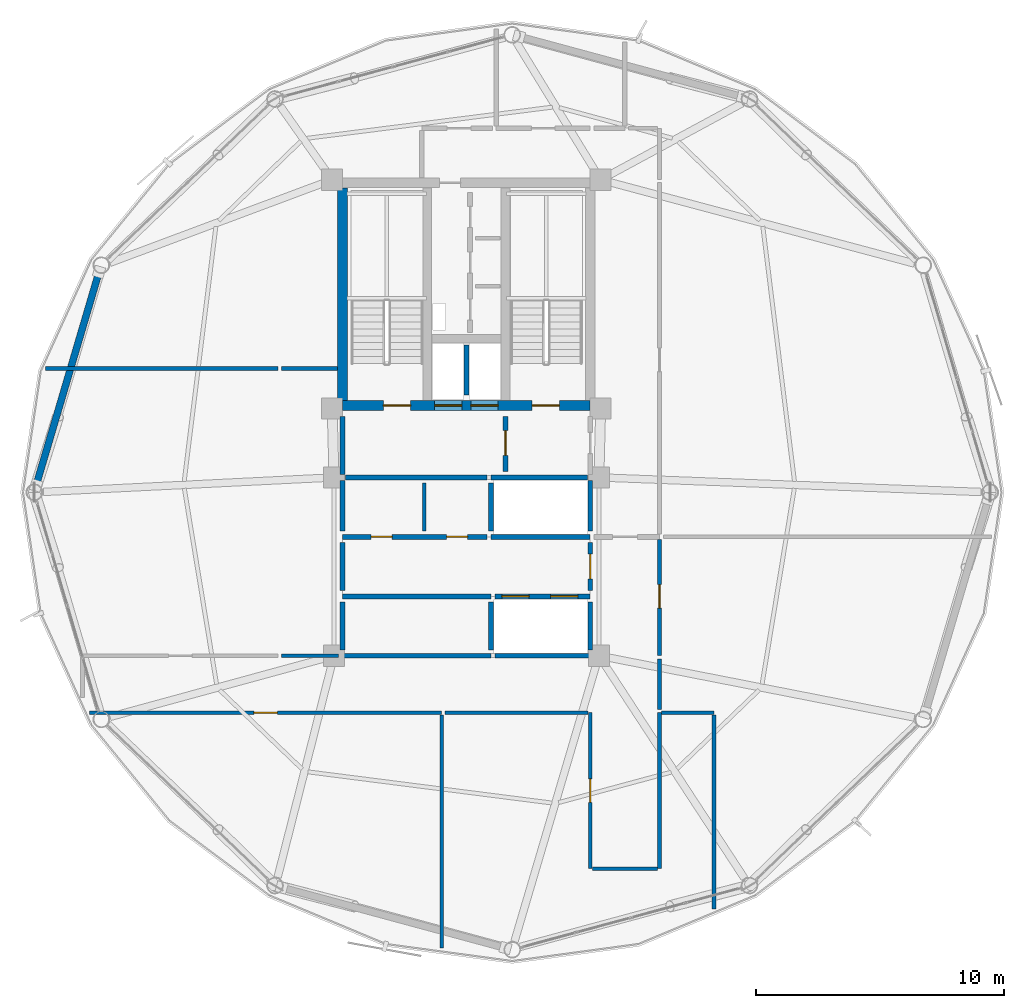
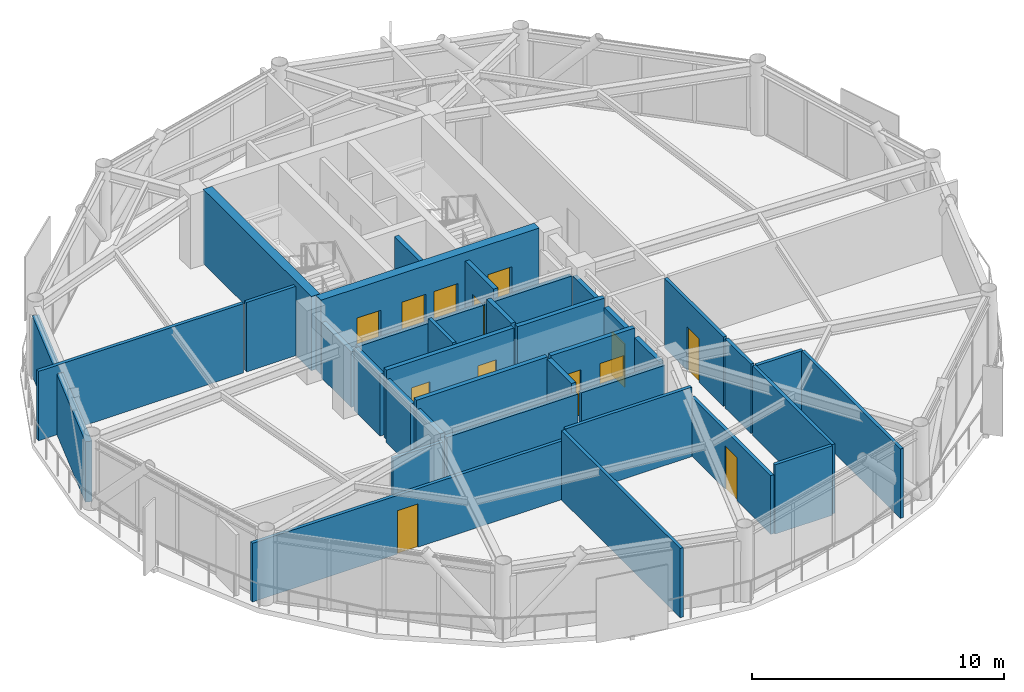
# One storey, part 23 of 28: 36 walls, 13 doors, 13 openings.
"""IFC4 building model written with IfcOpenShell, lengths in metres."""

from ifc_helpers import new_model, si_unit, direction, frame, frame_2d, origin, place, context, subcontext, project, spatial, rectangle, extrude, material, layer, layer_set, type_object, element, fill, save


model = new_model("IFC4")

# Units and contexts
model_context = context("Model", 3, precision=1e-05, world=origin(), true_north=direction((0.0, 1.0)))
body_context = subcontext(model_context, "Body", "Model", "MODEL_VIEW")
ifc_project = project(units=[si_unit("LENGTHUNIT", "METRE"), si_unit("AREAUNIT", "SQUARE_METRE"), si_unit("VOLUMEUNIT", "CUBIC_METRE"), si_unit("PLANEANGLEUNIT", "RADIAN"), si_unit("MASSUNIT", "GRAM", prefix="KILO")], contexts=[model_context])

# Site, building, storey
site_placement = place(None, origin())
site = spatial("IfcSite", under=ifc_project, at=site_placement, CompositionType="ELEMENT")
building_placement = place(site_placement, origin())
building = spatial("IfcBuilding", under=site, at=building_placement, Name="Varnakorn Sky Granary", CompositionType="ELEMENT")
storey_placement = place(building_placement, frame((0.0, 0.0, 204.0)))
storey = spatial("IfcBuildingStorey", under=building, at=storey_placement, Name="L51", CompositionType="ELEMENT", Elevation=204.0)

# Wall, openings, doors
ifc_material_1 = material(Name="Concrete C50/60", Category="concrete")
ifc_layer_1 = layer(ifc_material_1, 0.39990234375, Name="Concrete C50/60")
ifc_layer_set_1 = layer_set([ifc_layer_1], Name="Concrete C50/60")
wall_type_1 = type_object("IfcWallType", Name="WT-CW-SHEAR-400", PredefinedType="SHEAR", material=ifc_layer_set_1)
wall_1_placement = place(storey_placement, frame((-2.0, 3.5, 0.0), z_axis=(0.0, 0.0, 1.0), x_axis=(1.0, 0.0, 0.0)))
wall_1 = element("IfcWall", 1, at=wall_1_placement, inside=storey, type_object=wall_type_1, Name="Core South Shear Wall L51", PredefinedType="SHEAR", context=body_context, shape_type="SweptSolid", body=[
    extrude(rectangle(XDim=10.0, YDim=0.39990234375, at=frame_2d((5.0, 0.0))), origin(), (0.0, 0.0, 1.0), 3.592041015625),
])
opening_1_placement = place(wall_1_placement, frame((1.64990234375, 0.0, 0.0)))
opening_1 = element("IfcOpeningElement", 2, at=opening_1_placement, cuts=wall_1, Name="Opening FD-90", PredefinedType="OPENING", context=body_context, shape_type="SweptSolid", body=[
    extrude(rectangle(XDim=1.10009765625, YDim=2.14990234375, at=frame_2d((0.550048828125, 1.074951171875))), frame((0.0, 0.2099609375, 0.0), z_axis=(0.0, -1.0, 0.0), x_axis=(1.0, 0.0, 0.0)), (0.0, 0.0, 1.0), 0.419921875),
])
opening_2_placement = place(wall_1_placement, frame((7.64990234375, 0.0, 0.0)))
opening_2 = element("IfcOpeningElement", 3, at=opening_2_placement, cuts=wall_1, Name="Opening FD-90", PredefinedType="OPENING", context=body_context, shape_type="SweptSolid", body=[
    extrude(rectangle(XDim=1.10009765625, YDim=2.14990234375, at=frame_2d((0.550048828125, 1.074951171875))), frame((0.0, 0.2099609375, 0.0), z_axis=(0.0, -1.0, 0.0), x_axis=(1.0, 0.0, 0.0)), (0.0, 0.0, 1.0), 0.419921875),
])
opening_3_placement = place(wall_1_placement, frame((3.719970703125, 0.0, 0.0)))
opening_3 = element("IfcOpeningElement", 4, at=opening_3_placement, cuts=wall_1, Name="Opening LD-01", PredefinedType="OPENING", context=body_context, shape_type="SweptSolid", body=[
    extrude(rectangle(XDim=1.10009765625, YDim=2.199951171875, at=frame_2d((0.550048828125, 1.10009765625))), frame((0.0, 0.2099609375, 0.0), z_axis=(0.0, -1.0, 0.0), x_axis=(1.0, 0.0, 0.0)), (0.0, 0.0, 1.0), 0.419921875),
])
opening_4_placement = place(wall_1_placement, frame((5.179931640625, 0.0, 0.0)))
opening_4 = element("IfcOpeningElement", 5, at=opening_4_placement, cuts=wall_1, Name="Opening LD-01", PredefinedType="OPENING", context=body_context, shape_type="SweptSolid", body=[
    extrude(rectangle(XDim=1.10009765625, YDim=2.199951171875, at=frame_2d((0.550048828125, 1.10009765625))), frame((0.0, 0.2099609375, 0.0), z_axis=(0.0, -1.0, 0.0), x_axis=(1.0, 0.0, 0.0)), (0.0, 0.0, 1.0), 0.419921875),
])
ifc_material_2 = material(Name="Brushed Bronze Stainless Steel", Category="steel")
door_type_1 = type_object("IfcDoorType", Name="DR-LD-1100", OperationType="DOUBLE_DOOR_SLIDING", PredefinedType="DOOR", material=ifc_material_2)
door_1_placement = place(opening_3_placement, origin())
door_1 = element("IfcDoor", 6, at=door_1_placement, inside=storey, type_object=door_type_1, Name="Firefighting Lift FFL-1 Landing Door L51", OperationType="DOUBLE_DOOR_SLIDING", OverallHeight=2.199951171875, OverallWidth=1.10009765625, PredefinedType="DOOR", context=body_context, shape_type="SweptSolid", body=[
    extrude(rectangle(XDim=1.10009765625, YDim=2.199951171875, at=frame_2d((0.550048828125, 1.10009765625))), frame((0.0, 0.02490234375, 0.0), z_axis=(0.0, -1.0, 0.0), x_axis=(1.0, 0.0, 0.0)), (0.0, 0.0, 1.0), 0.050048828125),
])
fill(opening_3, door_1)
door_2_placement = place(opening_4_placement, origin())
door_2 = element("IfcDoor", 7, at=door_2_placement, inside=storey, type_object=door_type_1, Name="Firefighting Lift FFL-2 Landing Door L51", OperationType="DOUBLE_DOOR_SLIDING", OverallHeight=2.199951171875, OverallWidth=1.10009765625, PredefinedType="DOOR", context=body_context, shape_type="SweptSolid", body=[
    extrude(rectangle(XDim=1.10009765625, YDim=2.199951171875, at=frame_2d((0.550048828125, 1.10009765625))), frame((0.0, 0.02490234375, 0.0), z_axis=(0.0, -1.0, 0.0), x_axis=(1.0, 0.0, 0.0)), (0.0, 0.0, 1.0), 0.050048828125),
])
fill(opening_4, door_2)
ifc_material_3 = material(Name="Galvanised Painted Steel Leaf", Category="steel")
door_type_2 = type_object("IfcDoorType", Name="DR-STAIR-1100", OperationType="NOTDEFINED", PredefinedType="DOOR", material=ifc_material_3)
door_3_placement = place(opening_1_placement, origin())
door_3 = element("IfcDoor", 8, at=door_3_placement, inside=storey, type_object=door_type_2, Name="Stair ST-1 Protected Fire Door L51", OperationType="SINGLE_SWING_LEFT", OverallHeight=2.14990234375, OverallWidth=1.10009765625, PredefinedType="DOOR", context=body_context, shape_type="SweptSolid", body=[
    extrude(rectangle(XDim=1.10009765625, YDim=2.14990234375, at=frame_2d((0.550048828125, 1.074951171875))), frame((0.0, 0.02490234375, 0.0), z_axis=(0.0, -1.0, 0.0), x_axis=(1.0, 0.0, 0.0)), (0.0, 0.0, 1.0), 0.050048828125),
])
fill(opening_1, door_3)
door_4_placement = place(opening_2_placement, origin())
door_4 = element("IfcDoor", 9, at=door_4_placement, inside=storey, type_object=door_type_2, Name="Stair ST-2 Protected Fire Door L51", OperationType="SINGLE_SWING_RIGHT", OverallHeight=2.14990234375, OverallWidth=1.10009765625, PredefinedType="DOOR", context=body_context, shape_type="SweptSolid", body=[
    extrude(rectangle(XDim=1.10009765625, YDim=2.14990234375, at=frame_2d((0.550048828125, 1.074951171875))), frame((0.0, 0.02490234375, 0.0), z_axis=(0.0, -1.0, 0.0), x_axis=(1.0, 0.0, 0.0)), (0.0, 0.0, 1.0), 0.050048828125),
])
fill(opening_2, door_4)

# Walls
wall_2_placement = place(storey_placement, frame((-2.0, 3.7099609375, 0.0), z_axis=(0.0, 0.0, 1.0), x_axis=(0.0, 1.0, 0.0)))
element("IfcWall", 10, at=wall_2_placement, inside=storey, type_object=wall_type_1, Name="Core West Shear Wall L51", PredefinedType="SHEAR", context=body_context, shape_type="SweptSolid", body=[
    extrude(rectangle(XDim=8.580078125, YDim=0.39990234375, at=frame_2d((4.2900390625, 0.0))), origin(), (0.0, 0.0, 1.0), 3.592041015625),
])
ifc_material_4 = material(Name="Precast concrete C40/50", Category="concrete")
ifc_layer_2 = layer(ifc_material_4, 0.280029296875, Name="Precast concrete C40/50")
ifc_layer_set_2 = layer_set([ifc_layer_2], Name="Precast concrete C40/50")
wall_type_2 = type_object("IfcWallType", Name="WT-EW-CRN-280", PredefinedType="SOLIDWALL", material=ifc_layer_set_2)
wall_3_placement = place(storey_placement, frame((-14.37744140625, 0.2734375, 0.0), z_axis=(0.0, 0.0, 1.0), x_axis=(0.282743953162, 0.959195421669, 0.0)))
element("IfcWall", 11, at=wall_3_placement, inside=storey, type_object=wall_type_2, Name="Agritech Insulated Precast Facade Wall L51-P06", PredefinedType="SOLIDWALL", context=body_context, shape_type="SweptSolid", body=[
    extrude(rectangle(XDim=8.9921875, YDim=0.280029296875, at=frame_2d((4.49609375, 0.0))), origin(), (0.0, 0.0, 1.0), 2.929931640625),
])

# Wall, opening, door
ifc_material_5 = material(Name="Autoclaved Aerated Concrete Blockwork", Category="masonry")
ifc_layer_3 = layer(ifc_material_5, 0.199951171875, Name="Autoclaved Aerated Concrete Blockwork")
ifc_layer_set_3 = layer_set([ifc_layer_3], Name="Autoclaved Aerated Concrete Blockwork")
wall_type_3 = type_object("IfcWallType", Name="WT-FIRE-200", PredefinedType="MOVABLE", material=ifc_layer_set_3)
wall_4_placement = place(storey_placement, frame((4.580078125, 0.830078125, 0.0), z_axis=(0.0, 0.0, 1.0), x_axis=(0.0, 1.0, 0.0)))
wall_4 = element("IfcWall", 12, at=wall_4_placement, inside=storey, type_object=wall_type_3, Name="Interior Partition Wall L51-014", PredefinedType="MOVABLE", context=body_context, shape_type="SweptSolid", body=[
    extrude(rectangle(XDim=2.239990234375, YDim=0.199951171875, at=frame_2d((1.1201171875, 0.0))), origin(), (0.0, 0.0, 1.0), 3.360107421875),
])
opening_5_placement = place(wall_4_placement, frame((0.659912109375, 0.0, 0.0)))
opening_5 = element("IfcOpeningElement", 13, at=opening_5_placement, cuts=wall_4, Name="Opening FD-60", PredefinedType="OPENING", context=body_context, shape_type="SweptSolid", body=[
    extrude(rectangle(XDim=1.0, YDim=2.10009765625, at=frame_2d((0.5, 1.050048828125))), frame((0.0, 0.10986328125, 0.0), z_axis=(0.0, -1.0, 0.0), x_axis=(1.0, 0.0, 0.0)), (0.0, 0.0, 1.0), 0.219970703125),
])
ifc_material_6 = material(Name="Acoustic Timber Fire Leaf", Category="wood")
door_type_3 = type_object("IfcDoorType", Name="DR-FD60-1000", OperationType="NOTDEFINED", PredefinedType="DOOR", material=ifc_material_6)
door_5_placement = place(opening_5_placement, origin())
door_5 = element("IfcDoor", 14, at=door_5_placement, inside=storey, type_object=door_type_3, Name="Interior Door L51-014-1", OperationType="SINGLE_SWING_LEFT", OverallHeight=2.10009765625, OverallWidth=1.0, PredefinedType="DOOR", context=body_context, shape_type="SweptSolid", body=[
    extrude(rectangle(XDim=1.0, YDim=2.10009765625, at=frame_2d((0.5, 1.050048828125))), frame((0.0, 0.02490234375, 0.0), z_axis=(0.0, -1.0, 0.0), x_axis=(1.0, 0.0, 0.0)), (0.0, 0.0, 1.0), 0.050048828125),
])
fill(opening_5, door_5)

wall_5_placement = place(storey_placement, frame((8.0, -3.969970703125, 0.0), z_axis=(0.0, 0.0, 1.0), x_axis=(0.0, 1.0, 0.0)))
wall_5 = element("IfcWall", 15, at=wall_5_placement, inside=storey, type_object=wall_type_3, Name="Interior Partition Wall L51-016", PredefinedType="MOVABLE", context=body_context, shape_type="SweptSolid", body=[
    extrude(rectangle(XDim=1.93994140625, YDim=0.199951171875, at=frame_2d((0.969970703125, 0.0))), origin(), (0.0, 0.0, 1.0), 3.011962890625),
])
opening_6_placement = place(wall_5_placement, frame((0.469970703125, 0.0, 0.0)))
opening_6 = element("IfcOpeningElement", 16, at=opening_6_placement, cuts=wall_5, Name="Opening FD-60", PredefinedType="OPENING", context=body_context, shape_type="SweptSolid", body=[
    extrude(rectangle(XDim=1.0, YDim=2.10009765625, at=frame_2d((0.5, 1.050048828125))), frame((0.0, 0.10986328125, 0.0), z_axis=(0.0, -1.0, 0.0), x_axis=(1.0, 0.0, 0.0)), (0.0, 0.0, 1.0), 0.219970703125),
])
door_6_placement = place(opening_6_placement, origin())
door_6 = element("IfcDoor", 17, at=door_6_placement, inside=storey, type_object=door_type_3, Name="Interior Door L51-016-1", OperationType="SINGLE_SWING_LEFT", OverallHeight=2.10009765625, OverallWidth=1.0, PredefinedType="DOOR", context=body_context, shape_type="SweptSolid", body=[
    extrude(rectangle(XDim=1.0, YDim=2.10009765625, at=frame_2d((0.5, 1.050048828125))), frame((0.0, 0.02490234375, 0.0), z_axis=(0.0, -1.0, 0.0), x_axis=(1.0, 0.0, 0.0)), (0.0, 0.0, 1.0), 0.050048828125),
])
fill(opening_6, door_6)

# Wall, openings, doors
wall_6_placement = place(storey_placement, frame((-2.0, -1.800048828125, 0.0), z_axis=(0.0, 0.0, 1.0), x_axis=(1.0, 0.0, 0.0)))
wall_6 = element("IfcWall", 18, at=wall_6_placement, inside=storey, type_object=wall_type_3, Name="Interior Partition Wall L51-017", PredefinedType="MOVABLE", context=body_context, shape_type="SweptSolid", body=[
    extrude(rectangle(XDim=5.840087890625, YDim=0.199951171875, at=frame_2d((2.919921875, 0.0))), origin(), (0.0, 0.0, 1.0), 3.360107421875),
])
opening_7_placement = place(wall_6_placement, frame((1.14990234375, 0.0, 0.0)))
opening_7 = element("IfcOpeningElement", 19, at=opening_7_placement, cuts=wall_6, Name="Opening FD-60N", PredefinedType="OPENING", context=body_context, shape_type="SweptSolid", body=[
    extrude(rectangle(XDim=0.85009765625, YDim=2.10009765625, at=frame_2d((0.425048828125, 1.050048828125))), frame((0.0, 0.10986328125, 0.0), z_axis=(0.0, -1.0, 0.0), x_axis=(1.0, 0.0, 0.0)), (0.0, 0.0, 1.0), 0.219970703125),
])
opening_8_placement = place(wall_6_placement, frame((4.199951171875, 0.0, 0.0)))
opening_8 = element("IfcOpeningElement", 20, at=opening_8_placement, cuts=wall_6, Name="Opening FD-60N", PredefinedType="OPENING", context=body_context, shape_type="SweptSolid", body=[
    extrude(rectangle(XDim=0.85009765625, YDim=2.10009765625, at=frame_2d((0.425048828125, 1.050048828125))), frame((0.0, 0.10986328125, 0.0), z_axis=(0.0, -1.0, 0.0), x_axis=(1.0, 0.0, 0.0)), (0.0, 0.0, 1.0), 0.219970703125),
])
door_type_4 = type_object("IfcDoorType", Name="DR-FD60-850", OperationType="NOTDEFINED", PredefinedType="DOOR", material=ifc_material_6)
door_7_placement = place(opening_7_placement, origin())
door_7 = element("IfcDoor", 21, at=door_7_placement, inside=storey, type_object=door_type_4, Name="Interior Door L51-017-1", OperationType="SINGLE_SWING_RIGHT", OverallHeight=2.10009765625, OverallWidth=0.85009765625, PredefinedType="DOOR", context=body_context, shape_type="SweptSolid", body=[
    extrude(rectangle(XDim=0.85009765625, YDim=2.10009765625, at=frame_2d((0.425048828125, 1.050048828125))), frame((0.0, 0.02490234375, 0.0), z_axis=(0.0, -1.0, 0.0), x_axis=(1.0, 0.0, 0.0)), (0.0, 0.0, 1.0), 0.050048828125),
])
fill(opening_7, door_7)
door_8_placement = place(opening_8_placement, origin())
door_8 = element("IfcDoor", 22, at=door_8_placement, inside=storey, type_object=door_type_4, Name="Interior Door L51-017-2", OperationType="SINGLE_SWING_LEFT", OverallHeight=2.10009765625, OverallWidth=0.85009765625, PredefinedType="DOOR", context=body_context, shape_type="SweptSolid", body=[
    extrude(rectangle(XDim=0.85009765625, YDim=2.10009765625, at=frame_2d((0.425048828125, 1.050048828125))), frame((0.0, 0.02490234375, 0.0), z_axis=(0.0, -1.0, 0.0), x_axis=(1.0, 0.0, 0.0)), (0.0, 0.0, 1.0), 0.050048828125),
])
fill(opening_8, door_8)

# Walls
wall_7_placement = place(storey_placement, frame((-1.8798828125, 0.60009765625, 0.0), z_axis=(0.0, 0.0, 1.0), x_axis=(1.0, 0.0, 0.0)))
element("IfcWall", 23, at=wall_7_placement, inside=storey, type_object=wall_type_3, Name="Interior Partition Wall L51-028", PredefinedType="MOVABLE", context=body_context, shape_type="SweptSolid", body=[
    extrude(rectangle(XDim=5.719970703125, YDim=0.199951171875, at=frame_2d((2.85986328125, 0.0))), origin(), (0.0, 0.0, 1.0), 3.011962890625),
])
wall_8_placement = place(storey_placement, frame((-2.0, 0.719970703125, 0.0), z_axis=(0.0, 0.0, 1.0), x_axis=(0.0, 1.0, 0.0)))
element("IfcWall", 24, at=wall_8_placement, inside=storey, type_object=wall_type_3, Name="Interior Partition Wall L51-029", PredefinedType="MOVABLE", context=body_context, shape_type="SweptSolid", body=[
    extrude(rectangle(XDim=2.35009765625, YDim=0.199951171875, at=frame_2d((1.175048828125, 0.0))), origin(), (0.0, 0.0, 1.0), 2.69189453125),
])
wall_9_placement = place(storey_placement, frame((-2.0, -3.969970703125, 0.0), z_axis=(0.0, 0.0, 1.0), x_axis=(0.0, 1.0, 0.0)))
element("IfcWall", 25, at=wall_9_placement, inside=storey, type_object=wall_type_3, Name="Interior Partition Wall L51-030", PredefinedType="MOVABLE", context=body_context, shape_type="SweptSolid", body=[
    extrude(rectangle(XDim=1.93994140625, YDim=0.199951171875, at=frame_2d((0.969970703125, 0.0))), origin(), (0.0, 0.0, 1.0), 3.011962890625),
])
wall_10_placement = place(storey_placement, frame((-2.0, -1.570068359375, 0.0), z_axis=(0.0, 0.0, 1.0), x_axis=(0.0, 1.0, 0.0)))
element("IfcWall", 26, at=wall_10_placement, inside=storey, type_object=wall_type_3, Name="Interior Partition Wall L51-032", PredefinedType="MOVABLE", context=body_context, shape_type="SweptSolid", body=[
    extrude(rectangle(XDim=2.050048828125, YDim=0.199951171875, at=frame_2d((1.02490234375, 0.0))), origin(), (0.0, 0.0, 1.0), 3.011962890625),
])

# Wall, opening, door
ifc_material_7 = material(Name="Gypsum Plasterboard on Steel Stud", Category="steel")
ifc_layer_4 = layer(ifc_material_7, 0.14990234375, Name="Gypsum Plasterboard on Steel Stud")
ifc_layer_set_4 = layer_set([ifc_layer_4], Name="Gypsum Plasterboard on Steel Stud")
wall_type_4 = type_object("IfcWallType", Name="WT-PART-150", PredefinedType="PARTITIONING", material=ifc_layer_set_4)
wall_11_placement = place(storey_placement, frame((-12.217041015625, -8.89990234375, 0.0), z_axis=(0.0, 0.0, 1.0), x_axis=(1.0, 0.0, 0.0)))
wall_11 = element("IfcWall", 27, at=wall_11_placement, inside=storey, type_object=wall_type_4, Name="Interior Partition Wall L51-020", PredefinedType="PARTITIONING", context=body_context, shape_type="SweptSolid", body=[
    extrude(rectangle(XDim=14.217041015625, YDim=0.14990234375, at=frame_2d((7.1083984375, 0.0))), origin(), (0.0, 0.0, 1.0), 2.842041015625),
])
opening_9_placement = place(wall_11_placement, frame((6.633056640625, 0.0, 0.0)))
opening_9 = element("IfcOpeningElement", 28, at=opening_9_placement, cuts=wall_11, Name="Opening ID-95", PredefinedType="OPENING", context=body_context, shape_type="SweptSolid", body=[
    extrude(rectangle(XDim=0.949951171875, YDim=2.10009765625, at=frame_2d((0.47509765625, 1.050048828125))), frame((0.0, 0.0849609375, 0.0), z_axis=(0.0, -1.0, 0.0), x_axis=(1.0, 0.0, 0.0)), (0.0, 0.0, 1.0), 0.169921875),
])
ifc_material_8 = material(Name="Solid-Core Teak Veneer Leaf", Category="timber")
door_type_5 = type_object("IfcDoorType", Name="DR-INT-950", OperationType="NOTDEFINED", PredefinedType="DOOR", material=ifc_material_8)
door_9_placement = place(opening_9_placement, origin())
door_9 = element("IfcDoor", 29, at=door_9_placement, inside=storey, type_object=door_type_5, Name="Interior Door L51-020-1", OperationType="SINGLE_SWING_RIGHT", OverallHeight=2.10009765625, OverallWidth=0.949951171875, PredefinedType="DOOR", context=body_context, shape_type="SweptSolid", body=[
    extrude(rectangle(XDim=0.949951171875, YDim=2.10009765625, at=frame_2d((0.47509765625, 1.050048828125))), frame((0.0, 0.02490234375, 0.0), z_axis=(0.0, -1.0, 0.0), x_axis=(1.0, 0.0, 0.0)), (0.0, 0.0, 1.0), 0.050048828125),
])
fill(opening_9, door_9)

wall_12_placement = place(storey_placement, frame((8.0, -8.89990234375, 0.0), z_axis=(0.0, 0.0, 1.0), x_axis=(0.0, -1.0, 0.0)))
wall_12 = element("IfcWall", 30, at=wall_12_placement, inside=storey, type_object=wall_type_4, Name="Interior Partition Wall L51-021", PredefinedType="PARTITIONING", context=body_context, shape_type="SweptSolid", body=[
    extrude(rectangle(XDim=6.300048828125, YDim=0.14990234375, at=frame_2d((3.14990234375, 0.0))), origin(), (0.0, 0.0, 1.0), 2.842041015625),
])
opening_10_placement = place(wall_12_placement, frame((2.675048828125, 0.0, 0.0)))
opening_10 = element("IfcOpeningElement", 31, at=opening_10_placement, cuts=wall_12, Name="Opening ID-95", PredefinedType="OPENING", context=body_context, shape_type="SweptSolid", body=[
    extrude(rectangle(XDim=0.949951171875, YDim=2.10009765625, at=frame_2d((0.47509765625, 1.050048828125))), frame((0.0, 0.0849609375, 0.0), z_axis=(0.0, -1.0, 0.0), x_axis=(1.0, 0.0, 0.0)), (0.0, 0.0, 1.0), 0.169921875),
])
door_10_placement = place(opening_10_placement, origin())
door_10 = element("IfcDoor", 32, at=door_10_placement, inside=storey, type_object=door_type_5, Name="Interior Door L51-021-1", OperationType="SINGLE_SWING_LEFT", OverallHeight=2.10009765625, OverallWidth=0.949951171875, PredefinedType="DOOR", context=body_context, shape_type="SweptSolid", body=[
    extrude(rectangle(XDim=0.949951171875, YDim=2.10009765625, at=frame_2d((0.47509765625, 1.050048828125))), frame((0.0, 0.02490234375, 0.0), z_axis=(0.0, -1.0, 0.0), x_axis=(1.0, 0.0, 0.0)), (0.0, 0.0, 1.0), 0.050048828125),
])
fill(opening_10, door_10)

wall_13_placement = place(storey_placement, frame((10.800048828125, -6.60009765625, 0.0), z_axis=(0.0, 0.0, 1.0), x_axis=(0.0, 1.0, 0.0)))
wall_13 = element("IfcWall", 33, at=wall_13_placement, inside=storey, type_object=wall_type_4, Name="Interior Partition Wall L51-022", PredefinedType="PARTITIONING", context=body_context, shape_type="SweptSolid", body=[
    extrude(rectangle(XDim=4.690185546875, YDim=0.14990234375, at=frame_2d((2.34521484375, 0.0))), origin(), (0.0, 0.0, 1.0), 3.360107421875),
])
opening_11_placement = place(wall_13_placement, frame((1.925048828125, 0.0, 0.0)))
opening_11 = element("IfcOpeningElement", 34, at=opening_11_placement, cuts=wall_13, Name="Opening ID-95", PredefinedType="OPENING", context=body_context, shape_type="SweptSolid", body=[
    extrude(rectangle(XDim=0.949951171875, YDim=2.10009765625, at=frame_2d((0.47509765625, 1.050048828125))), frame((0.0, 0.0849609375, 0.0), z_axis=(0.0, -1.0, 0.0), x_axis=(1.0, 0.0, 0.0)), (0.0, 0.0, 1.0), 0.169921875),
])
door_11_placement = place(opening_11_placement, origin())
door_11 = element("IfcDoor", 35, at=door_11_placement, inside=storey, type_object=door_type_5, Name="Interior Door L51-022-1", OperationType="SINGLE_SWING_RIGHT", OverallHeight=2.10009765625, OverallWidth=0.949951171875, PredefinedType="DOOR", context=body_context, shape_type="SweptSolid", body=[
    extrude(rectangle(XDim=0.949951171875, YDim=2.10009765625, at=frame_2d((0.47509765625, 1.050048828125))), frame((0.0, 0.02490234375, 0.0), z_axis=(0.0, -1.0, 0.0), x_axis=(1.0, 0.0, 0.0)), (0.0, 0.0, 1.0), 0.050048828125),
])
fill(opening_11, door_11)

# Walls
wall_14_placement = place(storey_placement, frame((1.300048828125, -1.570068359375, 0.0), z_axis=(0.0, 0.0, 1.0), x_axis=(0.0, 1.0, 0.0)))
element("IfcWall", 36, at=wall_14_placement, inside=storey, type_object=wall_type_4, Name="Interior Partition Wall L51-031", PredefinedType="PARTITIONING", context=body_context, shape_type="SweptSolid", body=[
    extrude(rectangle(XDim=1.940185546875, YDim=0.14990234375, at=frame_2d((0.97021484375, 0.0))), origin(), (0.0, 0.0, 1.0), 3.360107421875),
])
wall_15_placement = place(storey_placement, frame((2.0, -8.985107421875, 0.0), z_axis=(0.0, 0.0, 1.0), x_axis=(0.0, -1.0, 0.0)))
element("IfcWall", 37, at=wall_15_placement, inside=storey, type_object=wall_type_4, Name="Interior Partition Wall L51-034", PredefinedType="PARTITIONING", context=body_context, shape_type="SweptSolid", body=[
    extrude(rectangle(XDim=9.4189453125, YDim=0.14990234375, at=frame_2d((4.70947265625, 0.0))), origin(), (0.0, 0.0, 1.0), 3.360107421875),
])
wall_16_placement = place(storey_placement, frame((10.800048828125, -15.199951171875, 0.0), z_axis=(0.0, 0.0, 1.0), x_axis=(0.0, 1.0, 0.0)))
element("IfcWall", 38, at=wall_16_placement, inside=storey, type_object=wall_type_4, Name="Interior Partition Wall L51-035", PredefinedType="PARTITIONING", context=body_context, shape_type="SweptSolid", body=[
    extrude(rectangle(XDim=6.300048828125, YDim=0.14990234375, at=frame_2d((3.14990234375, 0.0))), origin(), (0.0, 0.0, 1.0), 3.360107421875),
])
wall_17_placement = place(storey_placement, frame((2.135009765625, -8.89990234375, 0.0), z_axis=(0.0, 0.0, 1.0), x_axis=(1.0, 0.0, 0.0)))
element("IfcWall", 39, at=wall_17_placement, inside=storey, type_object=wall_type_4, Name="Interior Partition Wall L51-036", PredefinedType="PARTITIONING", context=body_context, shape_type="SweptSolid", body=[
    extrude(rectangle(XDim=5.780029296875, YDim=0.14990234375, at=frame_2d((2.89013671875, 0.0))), origin(), (0.0, 0.0, 1.0), 3.360107421875),
])
wall_18_placement = place(storey_placement, frame((8.0849609375, -15.199951171875, 0.0), z_axis=(0.0, 0.0, 1.0), x_axis=(1.0, 0.0, 0.0)))
element("IfcWall", 40, at=wall_18_placement, inside=storey, type_object=wall_type_4, Name="Interior Partition Wall L51-037", PredefinedType="PARTITIONING", context=body_context, shape_type="SweptSolid", body=[
    extrude(rectangle(XDim=2.630126953125, YDim=0.14990234375, at=frame_2d((1.31494140625, 0.0))), origin(), (0.0, 0.0, 1.0), 3.360107421875),
])
wall_19_placement = place(storey_placement, frame((10.885009765625, -8.89990234375, 0.0), z_axis=(0.0, 0.0, 1.0), x_axis=(1.0, 0.0, 0.0)))
element("IfcWall", 41, at=wall_19_placement, inside=storey, type_object=wall_type_4, Name="Interior Partition Wall L51-038", PredefinedType="PARTITIONING", context=body_context, shape_type="SweptSolid", body=[
    extrude(rectangle(XDim=2.114990234375, YDim=0.14990234375, at=frame_2d((1.0576171875, 0.0))), origin(), (0.0, 0.0, 1.0), 3.360107421875),
])
wall_20_placement = place(storey_placement, frame((13.0, -8.985107421875, 0.0), z_axis=(0.0, 0.0, 1.0), x_axis=(0.0, -1.0, 0.0)))
element("IfcWall", 42, at=wall_20_placement, inside=storey, type_object=wall_type_4, Name="Interior Partition Wall L51-039", PredefinedType="PARTITIONING", context=body_context, shape_type="SweptSolid", body=[
    extrude(rectangle(XDim=7.833984375, YDim=0.14990234375, at=frame_2d((3.9169921875, 0.0))), origin(), (0.0, 0.0, 1.0), 3.360107421875),
])
wall_21_placement = place(storey_placement, frame((10.800048828125, -8.764892578125, 0.0), z_axis=(0.0, 0.0, 1.0), x_axis=(0.0, 1.0, 0.0)))
element("IfcWall", 43, at=wall_21_placement, inside=storey, type_object=wall_type_4, Name="Interior Partition Wall L51-040", PredefinedType="PARTITIONING", context=body_context, shape_type="SweptSolid", body=[
    extrude(rectangle(XDim=2.02978515625, YDim=0.14990234375, at=frame_2d((1.014892578125, 0.0))), origin(), (0.0, 0.0, 1.0), 3.360107421875),
])
wall_22_placement = place(storey_placement, frame((-2.159912109375, -6.60009765625, 0.0), z_axis=(0.0, 0.0, 1.0), x_axis=(-1.0, 0.0, 0.0)))
element("IfcWall", 44, at=wall_22_placement, inside=storey, type_object=wall_type_4, Name="Interior Partition Wall L51-042", PredefinedType="PARTITIONING", context=body_context, shape_type="SweptSolid", body=[
    extrude(rectangle(XDim=2.30517578125, YDim=0.14990234375, at=frame_2d((1.152587890625, 0.0))), origin(), (0.0, 0.0, 1.0), 2.842041015625),
])
wall_23_placement = place(storey_placement, frame((-13.989013671875, 5.0, 0.0), z_axis=(0.0, 0.0, 1.0), x_axis=(1.0, 0.0, 0.0)))
element("IfcWall", 45, at=wall_23_placement, inside=storey, type_object=wall_type_4, Name="Interior Partition Wall L51-044", PredefinedType="PARTITIONING", context=body_context, shape_type="SweptSolid", body=[
    extrude(rectangle(XDim=9.388916015625, YDim=0.14990234375, at=frame_2d((4.6943359375, 0.0))), origin(), (0.0, 0.0, 1.0), 3.360107421875),
])
wall_24_placement = place(storey_placement, frame((-4.465087890625, 5.0, 0.0), z_axis=(0.0, 0.0, 1.0), x_axis=(1.0, 0.0, 0.0)))
element("IfcWall", 46, at=wall_24_placement, inside=storey, type_object=wall_type_4, Name="Interior Partition Wall L51-045", PredefinedType="PARTITIONING", context=body_context, shape_type="SweptSolid", body=[
    extrude(rectangle(XDim=2.255126953125, YDim=0.14990234375, at=frame_2d((1.12744140625, 0.0))), origin(), (0.0, 0.0, 1.0), 3.360107421875),
])
ifc_layer_5 = layer(ifc_material_5, 0.199951171875, Name="Autoclaved Aerated Concrete Blockwork")
ifc_layer_set_5 = layer_set([ifc_layer_5], Name="Autoclaved Aerated Concrete Blockwork")
wall_type_5 = type_object("IfcWallType", Name="WT-SHAFT-200", PredefinedType="SOLIDWALL", material=ifc_layer_set_5)
wall_25_placement = place(storey_placement, frame((3.0, 3.919921875, 0.0), z_axis=(0.0, 0.0, 1.0), x_axis=(0.0, 1.0, 0.0)))
element("IfcWall", 47, at=wall_25_placement, inside=storey, type_object=wall_type_5, Name="Interior Partition Wall L51-001", PredefinedType="SOLIDWALL", context=body_context, shape_type="SweptSolid", body=[
    extrude(rectangle(XDim=2.030029296875, YDim=0.199951171875, at=frame_2d((1.01513671875, 0.0))), origin(), (0.0, 0.0, 1.0), 3.360107421875),
])
wall_26_placement = place(storey_placement, frame((4.0, 0.60009765625, 0.0), z_axis=(0.0, 0.0, 1.0), x_axis=(1.0, 0.0, 0.0)))
element("IfcWall", 48, at=wall_26_placement, inside=storey, type_object=wall_type_5, Name="Interior Partition Wall L51-002", PredefinedType="SOLIDWALL", context=body_context, shape_type="SweptSolid", body=[
    extrude(rectangle(XDim=3.8798828125, YDim=0.199951171875, at=frame_2d((1.93994140625, 0.0))), origin(), (0.0, 0.0, 1.0), 3.011962890625),
])
wall_27_placement = place(storey_placement, frame((4.0, -1.800048828125, 0.0), z_axis=(0.0, 0.0, 1.0), x_axis=(1.0, 0.0, 0.0)))
element("IfcWall", 49, at=wall_27_placement, inside=storey, type_object=wall_type_5, Name="Interior Partition Wall L51-003", PredefinedType="SOLIDWALL", context=body_context, shape_type="SweptSolid", body=[
    extrude(rectangle(XDim=4.0, YDim=0.199951171875, at=frame_2d((2.0, 0.0))), origin(), (0.0, 0.0, 1.0), 3.360107421875),
])
wall_28_placement = place(storey_placement, frame((4.0, -1.570068359375, 0.0), z_axis=(0.0, 0.0, 1.0), x_axis=(0.0, 1.0, 0.0)))
element("IfcWall", 50, at=wall_28_placement, inside=storey, type_object=wall_type_5, Name="Interior Partition Wall L51-004", PredefinedType="SOLIDWALL", context=body_context, shape_type="SweptSolid", body=[
    extrude(rectangle(XDim=1.940185546875, YDim=0.199951171875, at=frame_2d((0.97021484375, 0.0))), origin(), (0.0, 0.0, 1.0), 3.360107421875),
])
wall_29_placement = place(storey_placement, frame((8.0, -1.570068359375, 0.0), z_axis=(0.0, 0.0, 1.0), x_axis=(0.0, 1.0, 0.0)))
element("IfcWall", 51, at=wall_29_placement, inside=storey, type_object=wall_type_5, Name="Interior Partition Wall L51-005", PredefinedType="SOLIDWALL", context=body_context, shape_type="SweptSolid", body=[
    extrude(rectangle(XDim=2.050048828125, YDim=0.199951171875, at=frame_2d((1.02490234375, 0.0))), origin(), (0.0, 0.0, 1.0), 3.011962890625),
])
wall_30_placement = place(storey_placement, frame((-2.0, -4.199951171875, 0.0), z_axis=(0.0, 0.0, 1.0), x_axis=(1.0, 0.0, 0.0)))
element("IfcWall", 52, at=wall_30_placement, inside=storey, type_object=wall_type_5, Name="Interior Partition Wall L51-006", PredefinedType="SOLIDWALL", context=body_context, shape_type="SweptSolid", body=[
    extrude(rectangle(XDim=6.0, YDim=0.199951171875, at=frame_2d((3.0, 0.0))), origin(), (0.0, 0.0, 1.0), 3.360107421875),
])
wall_31_placement = place(storey_placement, frame((-2.0, -6.60009765625, 0.0), z_axis=(0.0, 0.0, 1.0), x_axis=(1.0, 0.0, 0.0)))
element("IfcWall", 53, at=wall_31_placement, inside=storey, type_object=wall_type_5, Name="Interior Partition Wall L51-007", PredefinedType="SOLIDWALL", context=body_context, shape_type="SweptSolid", body=[
    extrude(rectangle(XDim=6.0, YDim=0.199951171875, at=frame_2d((3.0, 0.0))), origin(), (0.0, 0.0, 1.0), 3.011962890625),
])
wall_32_placement = place(storey_placement, frame((-2.0, -6.3701171875, 0.0), z_axis=(0.0, 0.0, 1.0), x_axis=(0.0, 1.0, 0.0)))
element("IfcWall", 54, at=wall_32_placement, inside=storey, type_object=wall_type_5, Name="Interior Partition Wall L51-008", PredefinedType="SOLIDWALL", context=body_context, shape_type="SweptSolid", body=[
    extrude(rectangle(XDim=1.940185546875, YDim=0.199951171875, at=frame_2d((0.97021484375, 0.0))), origin(), (0.0, 0.0, 1.0), 3.011962890625),
])

# Wall, openings, doors
wall_33_placement = place(storey_placement, frame((4.159912109375, -4.199951171875, 0.0), z_axis=(0.0, 0.0, 1.0), x_axis=(1.0, 0.0, 0.0)))
wall_33 = element("IfcWall", 55, at=wall_33_placement, inside=storey, type_object=wall_type_5, Name="Interior Partition Wall L51-009", PredefinedType="SOLIDWALL", context=body_context, shape_type="SweptSolid", body=[
    extrude(rectangle(XDim=3.840087890625, YDim=0.199951171875, at=frame_2d((1.919921875, 0.0))), origin(), (0.0, 0.0, 1.0), 3.360107421875),
])
opening_12_placement = place(wall_33_placement, frame((0.27001953125, 0.0, 0.0)))
opening_12 = element("IfcOpeningElement", 56, at=opening_12_placement, cuts=wall_33, Name="Opening LD-01", PredefinedType="OPENING", context=body_context, shape_type="SweptSolid", body=[
    extrude(rectangle(XDim=1.10009765625, YDim=2.199951171875, at=frame_2d((0.550048828125, 1.10009765625))), frame((0.0, 0.10986328125, 0.0), z_axis=(0.0, -1.0, 0.0), x_axis=(1.0, 0.0, 0.0)), (0.0, 0.0, 1.0), 0.219970703125),
])
opening_13_placement = place(wall_33_placement, frame((2.239990234375, 0.0, 0.0)))
opening_13 = element("IfcOpeningElement", 57, at=opening_13_placement, cuts=wall_33, Name="Opening LD-01", PredefinedType="OPENING", context=body_context, shape_type="SweptSolid", body=[
    extrude(rectangle(XDim=1.10009765625, YDim=2.199951171875, at=frame_2d((0.550048828125, 1.10009765625))), frame((0.0, 0.10986328125, 0.0), z_axis=(0.0, -1.0, 0.0), x_axis=(1.0, 0.0, 0.0)), (0.0, 0.0, 1.0), 0.219970703125),
])
door_12_placement = place(opening_12_placement, origin())
door_12 = element("IfcDoor", 58, at=door_12_placement, inside=storey, type_object=door_type_1, Name="Passenger Lift PL-H1 Sliding Landing Door L51", OperationType="DOUBLE_DOOR_SLIDING", OverallHeight=2.199951171875, OverallWidth=1.10009765625, PredefinedType="DOOR", context=body_context, shape_type="SweptSolid", body=[
    extrude(rectangle(XDim=1.10009765625, YDim=2.199951171875, at=frame_2d((0.550048828125, 1.10009765625))), frame((0.0, 0.02490234375, 0.0), z_axis=(0.0, -1.0, 0.0), x_axis=(1.0, 0.0, 0.0)), (0.0, 0.0, 1.0), 0.050048828125),
])
fill(opening_12, door_12)
door_13_placement = place(opening_13_placement, origin())
door_13 = element("IfcDoor", 59, at=door_13_placement, inside=storey, type_object=door_type_1, Name="Passenger Lift PL-H2 Sliding Landing Door L51", OperationType="DOUBLE_DOOR_SLIDING", OverallHeight=2.199951171875, OverallWidth=1.10009765625, PredefinedType="DOOR", context=body_context, shape_type="SweptSolid", body=[
    extrude(rectangle(XDim=1.10009765625, YDim=2.199951171875, at=frame_2d((0.550048828125, 1.10009765625))), frame((0.0, 0.02490234375, 0.0), z_axis=(0.0, -1.0, 0.0), x_axis=(1.0, 0.0, 0.0)), (0.0, 0.0, 1.0), 0.050048828125),
])
fill(opening_13, door_13)

# Walls
wall_34_placement = place(storey_placement, frame((4.159912109375, -6.60009765625, 0.0), z_axis=(0.0, 0.0, 1.0), x_axis=(1.0, 0.0, 0.0)))
element("IfcWall", 60, at=wall_34_placement, inside=storey, type_object=wall_type_5, Name="Interior Partition Wall L51-010", PredefinedType="SOLIDWALL", context=body_context, shape_type="SweptSolid", body=[
    extrude(rectangle(XDim=3.840087890625, YDim=0.199951171875, at=frame_2d((1.919921875, 0.0))), origin(), (0.0, 0.0, 1.0), 3.011962890625),
])
wall_35_placement = place(storey_placement, frame((4.0, -6.3701171875, 0.0), z_axis=(0.0, 0.0, 1.0), x_axis=(0.0, 1.0, 0.0)))
element("IfcWall", 61, at=wall_35_placement, inside=storey, type_object=wall_type_5, Name="Interior Partition Wall L51-011", PredefinedType="SOLIDWALL", context=body_context, shape_type="SweptSolid", body=[
    extrude(rectangle(XDim=1.940185546875, YDim=0.199951171875, at=frame_2d((0.97021484375, 0.0))), origin(), (0.0, 0.0, 1.0), 3.360107421875),
])
wall_36_placement = place(storey_placement, frame((8.0, -6.3701171875, 0.0), z_axis=(0.0, 0.0, 1.0), x_axis=(0.0, 1.0, 0.0)))
element("IfcWall", 62, at=wall_36_placement, inside=storey, type_object=wall_type_5, Name="Interior Partition Wall L51-012", PredefinedType="SOLIDWALL", context=body_context, shape_type="SweptSolid", body=[
    extrude(rectangle(XDim=1.940185546875, YDim=0.199951171875, at=frame_2d((0.97021484375, 0.0))), origin(), (0.0, 0.0, 1.0), 3.011962890625),
])

save(model, "model.ifc")
